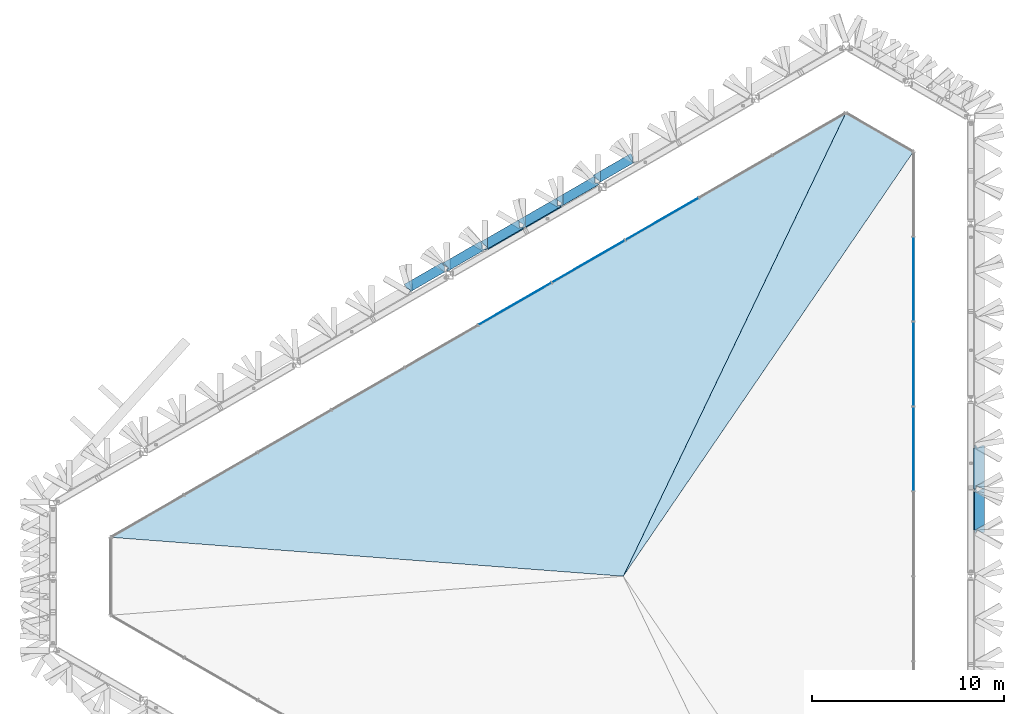
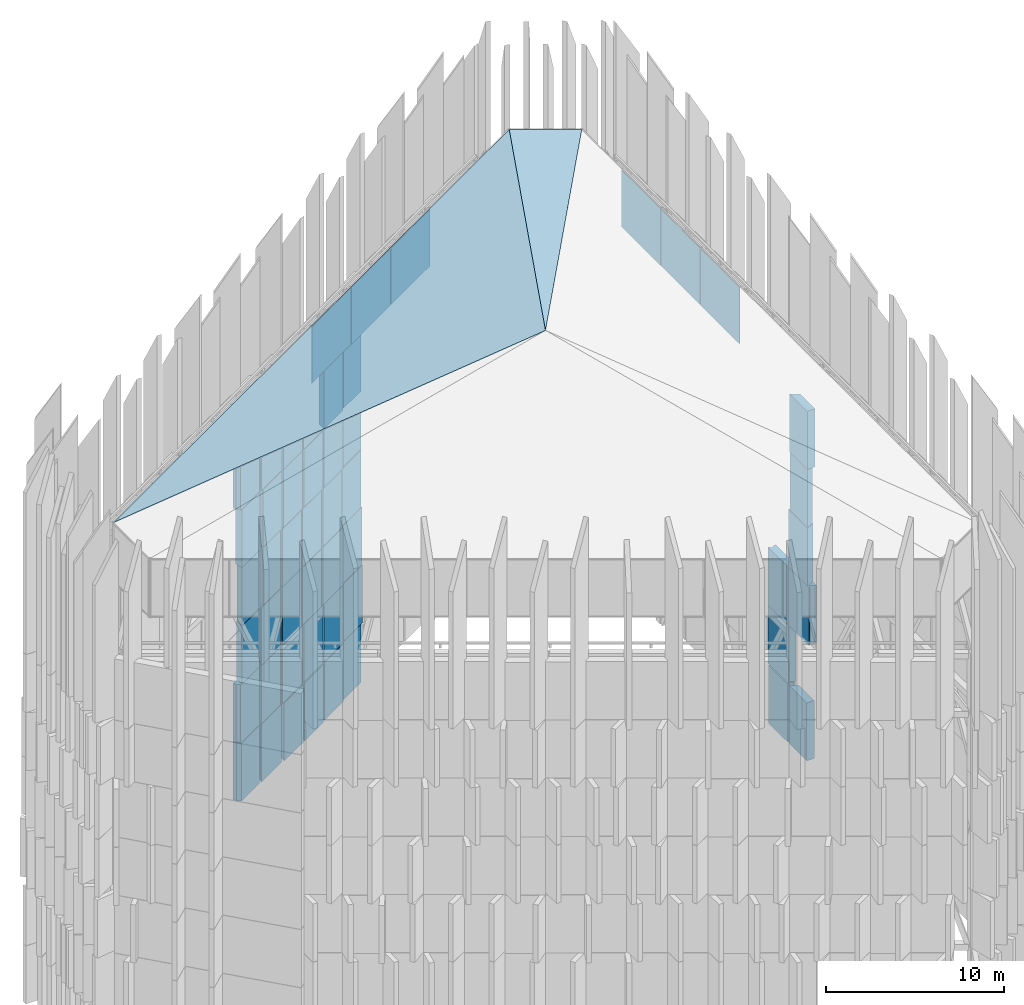
# One storey, part 33 of 45: 52 plates, 2 elements without a shape of their own.
"""IFC4 building model written with IfcOpenShell, lengths in metres."""

from ifc_helpers import new_model, si_unit, direction, frame, origin, origin_2d, place, context, subcontext, project, spatial, polyline, rectangle, outline, extrude, material, layer, layer_set, type_object, element, aggregate, save


model = new_model("IFC4")

# Units and contexts
model_context = context("Model", 3, precision=1e-05, world=origin(), true_north=direction((0.0, 1.0)))
body_context = subcontext(model_context, "Body", "Model", "MODEL_VIEW")
ifc_project = project(units=[si_unit("LENGTHUNIT", "METRE"), si_unit("AREAUNIT", "SQUARE_METRE"), si_unit("VOLUMEUNIT", "CUBIC_METRE"), si_unit("PLANEANGLEUNIT", "RADIAN"), si_unit("MASSUNIT", "GRAM", prefix="KILO")], contexts=[model_context])

# Site, building, storey
site_placement = place(None, origin())
site = spatial("IfcSite", under=ifc_project, at=site_placement, CompositionType="ELEMENT")
building_placement = place(site_placement, origin())
building = spatial("IfcBuilding", under=site, at=building_placement, Name="Jabali Bay Hotel Tower and Convention Centre", CompositionType="ELEMENT")
storey_placement = place(building_placement, frame((0.0, 0.0, 322.39990234375)))
storey = spatial("IfcBuildingStorey", under=building, at=storey_placement, Name="Crown", CompositionType="ELEMENT", Elevation=322.39990234375)

# Curtain wall, plates
ifc_material_1 = material(Name="Aluminium and glass", Category="aluminium")
ifc_layer_1 = layer(ifc_material_1, 0.199951171875)
ifc_layer_set_1 = layer_set([ifc_layer_1], Name="Aluminium and glass")
curtain_wall_type = type_object("IfcCurtainWallType", Name="CW6 curtain wall", PredefinedType="NOTDEFINED", material=ifc_layer_set_1)
curtain_wall_1_placement = place(storey_placement, origin())
curtain_wall_1 = element("IfcCurtainWall", 1, at=curtain_wall_1_placement, inside=storey, type_object=curtain_wall_type, Name="CW6 lantern glazing 1", PredefinedType="NOTDEFINED")
ifc_material_2 = material(Name="Glass", Category="glass")
ifc_layer_2 = layer(ifc_material_2, 0.031982421875)
ifc_layer_set_2 = layer_set([ifc_layer_2], Name="Glass")
plate_type_1 = type_object("IfcPlateType", Name="CW6 glass panel 32", PredefinedType="CURTAIN_PANEL", material=ifc_layer_set_2)
plate_1_placement = place(storey_placement, frame((90.148681640625, 86.65087890625, 28.41015625), z_axis=(0.0, 0.0, 1.0), x_axis=(0.0, 1.0, 0.0)))
plate_1 = element("IfcPlate", 2, at=plate_1_placement, type_object=plate_type_1, Name="CW6 panel 7.1", PredefinedType="CURTAIN_PANEL", context=body_context, shape_type="SweptSolid", body=[
    extrude(rectangle(XDim=4.3740234375, YDim=0.031982421875, at=origin_2d()), origin(), (0.0, 0.0, 1.0), 3.8798828125),
])
plate_2_placement = place(storey_placement, frame((90.148681640625, 91.0849609375, 28.41015625), z_axis=(0.0, 0.0, 1.0), x_axis=(0.0, 1.0, 0.0)))
plate_2 = element("IfcPlate", 3, at=plate_2_placement, type_object=plate_type_1, Name="CW6 panel 8.1", PredefinedType="CURTAIN_PANEL", context=body_context, shape_type="SweptSolid", body=[
    extrude(rectangle(XDim=4.3740234375, YDim=0.031982421875, at=origin_2d()), origin(), (0.0, 0.0, 1.0), 3.8798828125),
])
plate_3_placement = place(storey_placement, frame((90.148681640625, 95.51904296875, 28.41015625), z_axis=(0.0, 0.0, 1.0), x_axis=(0.0, 1.0, 0.0)))
plate_3 = element("IfcPlate", 4, at=plate_3_placement, type_object=plate_type_1, Name="CW6 panel 9.1", PredefinedType="CURTAIN_PANEL", context=body_context, shape_type="SweptSolid", body=[
    extrude(rectangle(XDim=4.3740234375, YDim=0.031982421875, at=origin_2d()), origin(), (0.0, 0.0, 1.0), 3.8798828125),
])
aggregate(curtain_wall_1, [plate_1, plate_2, plate_3])

curtain_wall_2_placement = place(storey_placement, origin())
curtain_wall_2 = element("IfcCurtainWall", 5, at=curtain_wall_2_placement, inside=storey, type_object=curtain_wall_type, Name="CW6 lantern glazing 3", PredefinedType="NOTDEFINED")
plate_4_placement = place(storey_placement, frame((77.025390625, 98.66162109375, 28.41015625), z_axis=(0.0, 0.0, 1.0), x_axis=(-0.866025400826, -0.500000005124, 0.0)))
plate_4 = element("IfcPlate", 6, at=plate_4_placement, type_object=plate_type_1, Name="CW6 panel 3.1", PredefinedType="CURTAIN_PANEL", context=body_context, shape_type="SweptSolid", body=[
    extrude(rectangle(XDim=4.3740234375, YDim=0.031982421875, at=origin_2d()), origin(), (0.0, 0.0, 1.0), 3.8798828125),
])
plate_5_placement = place(storey_placement, frame((73.185546875, 96.44482421875, 28.41015625), z_axis=(0.0, 0.0, 1.0), x_axis=(-0.866025400826, -0.500000005124, 0.0)))
plate_5 = element("IfcPlate", 7, at=plate_5_placement, type_object=plate_type_1, Name="CW6 panel 4.1", PredefinedType="CURTAIN_PANEL", context=body_context, shape_type="SweptSolid", body=[
    extrude(rectangle(XDim=4.3740234375, YDim=0.031982421875, at=origin_2d()), origin(), (0.0, 0.0, 1.0), 3.8798828125),
])
plate_6_placement = place(storey_placement, frame((69.345703125, 94.227783203125, 28.41015625), z_axis=(0.0, 0.0, 1.0), x_axis=(-0.866025400826, -0.500000005124, 0.0)))
plate_6 = element("IfcPlate", 8, at=plate_6_placement, type_object=plate_type_1, Name="CW6 panel 5.1", PredefinedType="CURTAIN_PANEL", context=body_context, shape_type="SweptSolid", body=[
    extrude(rectangle(XDim=4.3740234375, YDim=0.031982421875, at=origin_2d()), origin(), (0.0, 0.0, 1.0), 3.8798828125),
])
aggregate(curtain_wall_2, [plate_4, plate_5, plate_6])

# Plates
ifc_layer_3 = layer(ifc_material_2, 0.0400390625)
ifc_layer_set_3 = layer_set([ifc_layer_3], Name="Glass")
plate_type_2 = type_object("IfcPlateType", Name="Lantern roof glazing", PredefinedType="SHEET", material=ifc_layer_set_3)
plate_7_placement = place(storey_placement, frame((90.148681640625, 102.169921875, 32.35009765625), z_axis=(0.091784635079, 0.158981739493, 0.983005792084), x_axis=(-0.866033694824, 0.499985639223, 0.0)))
element("IfcPlate", 9, at=plate_7_placement, inside=storey, type_object=plate_type_2, Name="Lantern roof glazing 2", PredefinedType="SHEET", context=body_context, shape_type="SweptSolid", body=[
    extrude(outline(polyline([(0.0, 0.0), (4.068359375, 0.0), (2.03466796875, 27.23681640625), (0.0, 0.0)])), origin(), (0.0, 0.0, -1.0), 0.0400390625),
])
plate_8_placement = place(storey_placement, frame((86.625244140625, 104.2041015625, 32.35009765625), z_axis=(-0.156714659268, 0.271437631798, 0.949611566702), x_axis=(-0.866025307794, -0.500000166261, 0.0)))
element("IfcPlate", 10, at=plate_8_placement, inside=storey, type_object=plate_type_2, Name="Lantern roof glazing 3", PredefinedType="SHEET", context=body_context, shape_type="SweptSolid", body=[
    extrude(outline(polyline([(0.0, 0.0), (44.33984375, 0.0), (22.169921875, 15.95263671875), (0.0, 0.0)])), origin(), (0.0, 0.0, -1.0), 0.0400390625),
])
ifc_material_3 = material(Name="Precast concrete C60", Category="concrete")
ifc_layer_4 = layer(ifc_material_3, 0.5)
ifc_layer_set_4 = layer_set([ifc_layer_4], Name="Precast concrete C60")
plate_type_3 = type_object("IfcPlateType", Name="Pierced precast screen", PredefinedType="USERDEFINED", material=ifc_layer_set_4)
plate_9_placement = place(storey_placement, frame((0.0, 0.0, 0.010009765625)))
element("IfcPlate", 11, at=plate_9_placement, inside=storey, type_object=plate_type_3, Name="Screen 1.0.11", ObjectType="SCREEN", PredefinedType="USERDEFINED", context=body_context, shape_type="SweptSolid", body=[
    extrude(outline(polyline([(93.298828125, 84.4228515625), (93.298828125, 82.42626953125), (93.798828125, 82.431396484375), (93.798828125, 84.13427734375), (93.298828125, 84.4228515625)])), origin(), (0.0, 0.0, 1.0), 3.9658203125),
])
plate_10_placement = place(storey_placement, frame((0.0, 0.0, 0.010009765625)))
element("IfcPlate", 12, at=plate_10_placement, inside=storey, type_object=plate_type_3, Name="Screen 1.0.12", ObjectType="SCREEN", PredefinedType="USERDEFINED", context=body_context, shape_type="SweptSolid", body=[
    extrude(outline(polyline([(93.298828125, 86.69921875), (93.298828125, 84.552734375), (93.373779296875, 84.552734375), (93.44873046875, 84.6826171875), (93.673828125, 84.552734375), (93.798828125, 84.552734375), (93.798828125, 86.41064453125), (93.298828125, 86.69921875)])), origin(), (0.0, 0.0, 1.0), 3.9658203125),
])
plate_11_placement = place(storey_placement, frame((0.0, 0.0, 0.010009765625)))
element("IfcPlate", 13, at=plate_11_placement, inside=storey, type_object=plate_type_3, Name="Screen 1.2.33", ObjectType="SCREEN", PredefinedType="USERDEFINED", context=body_context, shape_type="SweptSolid", body=[
    extrude(outline(polyline([(73.81201171875, 100.5859375), (75.508544921875, 101.5654296875), (75.226806640625, 101.980224609375), (73.81201171875, 101.163330078125), (73.81201171875, 100.5859375)])), origin(), (0.0, 0.0, 1.0), 3.9658203125),
])
plate_12_placement = place(storey_placement, frame((0.0, 0.0, 0.010009765625)))
element("IfcPlate", 14, at=plate_12_placement, inside=storey, type_object=plate_type_3, Name="Screen 1.2.34", ObjectType="SCREEN", PredefinedType="USERDEFINED", context=body_context, shape_type="SweptSolid", body=[
    extrude(outline(polyline([(71.87744140625, 99.380859375), (73.712890625, 100.4404296875), (73.661865234375, 100.528564453125), (73.511962890625, 100.528564453125), (73.511962890625, 100.78857421875), (73.462890625, 100.87353515625), (71.87744140625, 99.958251953125), (71.87744140625, 99.380859375)])), origin(), (0.0, 0.0, 1.0), 3.9658203125),
])
plate_13_placement = place(storey_placement, frame((0.0, 0.0, 0.010009765625)))
element("IfcPlate", 15, at=plate_13_placement, inside=storey, type_object=plate_type_3, Name="Screen 1.2.35", ObjectType="SCREEN", PredefinedType="USERDEFINED", context=body_context, shape_type="SweptSolid", body=[
    extrude(outline(polyline([(69.906005859375, 98.1884765625), (71.764892578125, 99.26171875), (71.727294921875, 99.32666015625), (71.577392578125, 99.32666015625), (71.577392578125, 99.58642578125), (71.514892578125, 99.69482421875), (69.906005859375, 98.765869140625), (69.906005859375, 98.1884765625)])), origin(), (0.0, 0.0, 1.0), 3.9658203125),
])
plate_14_placement = place(storey_placement, frame((0.0, 0.0, 0.010009765625)))
element("IfcPlate", 16, at=plate_14_placement, inside=storey, type_object=plate_type_3, Name="Screen 1.2.36", ObjectType="SCREEN", PredefinedType="USERDEFINED", context=body_context, shape_type="SweptSolid", body=[
    extrude(outline(polyline([(67.9345703125, 97.05029296875), (69.79345703125, 98.12353515625), (69.755859375, 98.1884765625), (69.60595703125, 98.1884765625), (69.60595703125, 98.4482421875), (69.54345703125, 98.556640625), (67.9345703125, 97.627685546875), (67.9345703125, 97.05029296875)])), origin(), (0.0, 0.0, 1.0), 3.9658203125),
])
plate_15_placement = place(storey_placement, frame((0.0, 0.0, 0.010009765625)))
element("IfcPlate", 17, at=plate_15_placement, inside=storey, type_object=plate_type_3, Name="Screen 1.2.37", ObjectType="SCREEN", PredefinedType="USERDEFINED", context=body_context, shape_type="SweptSolid", body=[
    extrude(outline(polyline([(65.81005859375, 95.917236328125), (67.772705078125, 97.05029296875), (67.634521484375, 97.05029296875), (67.634521484375, 97.31005859375), (67.531494140625, 97.488525390625), (65.573974609375, 96.358154296875), (65.877197265625, 96.086181640625), (65.777099609375, 95.974609375), (65.81005859375, 95.917236328125)])), origin(), (0.0, 0.0, 1.0), 3.9658203125),
])
plate_16_placement = place(storey_placement, frame((0.0, 0.0, 0.010009765625)))
element("IfcPlate", 18, at=plate_16_placement, inside=storey, type_object=plate_type_3, Name="Screen 1.2.38", ObjectType="SCREEN", PredefinedType="USERDEFINED", context=body_context, shape_type="SweptSolid", body=[
    extrude(outline(polyline([(63.889892578125, 94.857421875), (65.6591796875, 95.87890625), (65.267578125, 96.230224609375), (63.567626953125, 95.248779296875), (63.691650390625, 95.03369140625), (63.916748046875, 94.90380859375), (63.889892578125, 94.857421875)])), origin(), (0.0, 0.0, 1.0), 3.9658203125),
])
plate_17_placement = place(storey_placement, frame((0.0, 0.0, 3.995849609375)))
element("IfcPlate", 19, at=plate_17_placement, inside=storey, type_object=plate_type_3, Name="Screen 2.0.12", ObjectType="SCREEN", PredefinedType="USERDEFINED", context=body_context, shape_type="SweptSolid", body=[
    extrude(outline(polyline([(93.348876953125, 86.8291015625), (93.348876953125, 84.552734375), (93.398193359375, 84.552734375), (93.447509765625, 84.6943359375), (93.848876953125, 84.554443359375), (93.848876953125, 86.76025390625), (93.400634765625, 86.681396484375), (93.374755859375, 86.8291015625), (93.348876953125, 86.8291015625)])), origin(), (0.0, 0.0, 1.0), 3.965576171875),
])
plate_18_placement = place(storey_placement, frame((0.0, 0.0, 3.995849609375)))
element("IfcPlate", 20, at=plate_18_placement, inside=storey, type_object=plate_type_3, Name="Screen 2.2.33", ObjectType="SCREEN", PredefinedType="USERDEFINED", context=body_context, shape_type="SweptSolid", body=[
    extrude(outline(polyline([(73.81201171875, 100.5859375), (75.64599609375, 101.644775390625), (75.645751953125, 101.645263671875), (75.495849609375, 101.64404296875), (75.493408203125, 101.9091796875), (75.39599609375, 102.077880859375), (73.81201171875, 101.163330078125), (73.81201171875, 100.5859375)])), origin(), (0.0, 0.0, 1.0), 3.965576171875),
])
plate_19_placement = place(storey_placement, frame((0.0, 0.0, 3.995849609375)))
element("IfcPlate", 21, at=plate_19_placement, inside=storey, type_object=plate_type_3, Name="Screen 2.2.34", ObjectType="SCREEN", PredefinedType="USERDEFINED", context=body_context, shape_type="SweptSolid", body=[
    extrude(outline(polyline([(71.852294921875, 99.3701171875), (73.711181640625, 100.443359375), (73.661865234375, 100.528564453125), (73.511962890625, 100.528564453125), (73.511962890625, 100.78857421875), (73.461181640625, 100.876220703125), (71.852294921875, 99.947265625), (71.852294921875, 99.3701171875)])), origin(), (0.0, 0.0, 1.0), 3.965576171875),
])
plate_20_placement = place(storey_placement, frame((0.0, 0.0, 3.995849609375)))
element("IfcPlate", 22, at=plate_20_placement, inside=storey, type_object=plate_type_3, Name="Screen 2.2.35", ObjectType="SCREEN", PredefinedType="USERDEFINED", context=body_context, shape_type="SweptSolid", body=[
    extrude(outline(polyline([(69.893798828125, 98.2392578125), (71.73974609375, 99.30517578125), (71.702392578125, 99.3701171875), (71.55224609375, 99.3701171875), (71.55224609375, 99.6298828125), (71.48974609375, 99.738037109375), (69.760009765625, 98.7392578125), (69.893798828125, 98.2392578125)])), origin(), (0.0, 0.0, 1.0), 3.965576171875),
])
plate_21_placement = place(storey_placement, frame((0.0, 0.0, 3.995849609375)))
element("IfcPlate", 23, at=plate_21_placement, inside=storey, type_object=plate_type_3, Name="Screen 2.2.36", ObjectType="SCREEN", PredefinedType="USERDEFINED", context=body_context, shape_type="SweptSolid", body=[
    extrude(outline(polyline([(67.797119140625, 97.02880859375), (69.768310546875, 98.1669921875), (69.7490234375, 98.200439453125), (69.604248046875, 98.16162109375), (69.490966796875, 98.583984375), (67.581787109375, 97.48193359375), (67.887451171875, 97.16357421875), (67.779052734375, 97.059814453125), (67.797119140625, 97.02880859375)])), origin(), (0.0, 0.0, 1.0), 3.965576171875),
])
plate_22_placement = place(storey_placement, frame((0.0, 0.0, 3.995849609375)))
element("IfcPlate", 24, at=plate_22_placement, inside=storey, type_object=plate_type_3, Name="Screen 2.2.37", ObjectType="SCREEN", PredefinedType="USERDEFINED", context=body_context, shape_type="SweptSolid", body=[
    extrude(outline(polyline([(65.81005859375, 95.917236328125), (67.64892578125, 96.978759765625), (67.292236328125, 97.350341796875), (65.56005859375, 96.350341796875), (65.617919921875, 96.250244140625), (65.843017578125, 96.120361328125), (65.767822265625, 95.990478515625), (65.81005859375, 95.917236328125)])), origin(), (0.0, 0.0, 1.0), 3.965576171875),
])
plate_23_placement = place(storey_placement, frame((0.0, 0.0, 3.995849609375)))
element("IfcPlate", 25, at=plate_23_placement, inside=storey, type_object=plate_type_3, Name="Screen 2.2.38", ObjectType="SCREEN", PredefinedType="USERDEFINED", context=body_context, shape_type="SweptSolid", body=[
    extrude(outline(polyline([(63.817626953125, 94.815673828125), (65.66015625, 95.87939453125), (65.16015625, 96.168212890625), (63.567626953125, 95.248779296875), (63.666748046875, 95.0771484375), (63.891845703125, 94.947265625), (63.816650390625, 94.817138671875), (63.817626953125, 94.815673828125)])), origin(), (0.0, 0.0, 1.0), 3.965576171875),
])
plate_24_placement = place(storey_placement, frame((0.0, 0.0, 7.9814453125)))
element("IfcPlate", 26, at=plate_24_placement, inside=storey, type_object=plate_type_3, Name="Screen 3.0.11", ObjectType="SCREEN", PredefinedType="USERDEFINED", context=body_context, shape_type="SweptSolid", body=[
    extrude(outline(polyline([(93.348876953125, 84.552734375), (93.348876953125, 82.2763671875), (93.4169921875, 82.2763671875), (93.485107421875, 82.409912109375), (93.746826171875, 82.2763671875), (93.848876953125, 82.2763671875), (93.848876953125, 84.552734375), (93.792236328125, 84.552734375), (93.465576171875, 84.41455078125), (93.4072265625, 84.552734375), (93.348876953125, 84.552734375)])), origin(), (0.0, 0.0, 1.0), 3.9658203125),
])
plate_25_placement = place(storey_placement, frame((0.0, 0.0, 7.9814453125)))
element("IfcPlate", 27, at=plate_25_placement, inside=storey, type_object=plate_type_3, Name="Screen 3.0.12", ObjectType="SCREEN", PredefinedType="USERDEFINED", context=body_context, shape_type="SweptSolid", body=[
    extrude(outline(polyline([(93.348876953125, 86.8291015625), (93.348876953125, 84.69091796875), (93.848876953125, 84.90234375), (93.848876953125, 86.8291015625), (93.7236328125, 86.8291015625), (93.498779296875, 86.69921875), (93.423828125, 86.8291015625), (93.348876953125, 86.8291015625)])), origin(), (0.0, 0.0, 1.0), 3.9658203125),
])
plate_26_placement = place(storey_placement, frame((0.0, 0.0, 7.9814453125)))
element("IfcPlate", 28, at=plate_26_placement, inside=storey, type_object=plate_type_3, Name="Screen 3.2.33", ObjectType="SCREEN", PredefinedType="USERDEFINED", context=body_context, shape_type="SweptSolid", body=[
    extrude(outline(polyline([(73.712890625, 100.528564453125), (75.612548828125, 101.62548828125), (75.50537109375, 101.611083984375), (75.457275390625, 101.9716796875), (75.39599609375, 102.077880859375), (73.424560546875, 100.939697265625), (73.462158203125, 100.87451171875), (73.779296875, 100.607666015625), (73.712890625, 100.528564453125)])), origin(), (0.0, 0.0, 1.0), 3.9658203125),
])
plate_27_placement = place(storey_placement, frame((0.0, 0.0, 7.9814453125)))
element("IfcPlate", 29, at=plate_27_placement, inside=storey, type_object=plate_type_3, Name="Screen 3.2.34", ObjectType="SCREEN", PredefinedType="USERDEFINED", context=body_context, shape_type="SweptSolid", body=[
    extrude(outline(polyline([(71.73974609375, 99.30517578125), (73.711181640625, 100.443359375), (73.6826171875, 100.492919921875), (73.5859375, 100.378173828125), (73.184326171875, 100.71630859375), (71.48974609375, 99.738037109375), (71.55224609375, 99.6298828125), (71.77734375, 99.5), (71.702392578125, 99.3701171875), (71.73974609375, 99.30517578125)])), origin(), (0.0, 0.0, 1.0), 3.9658203125),
])
plate_28_placement = place(storey_placement, frame((0.0, 0.0, 7.9814453125)))
element("IfcPlate", 30, at=plate_28_placement, inside=storey, type_object=plate_type_3, Name="Screen 3.2.35", ObjectType="SCREEN", PredefinedType="USERDEFINED", context=body_context, shape_type="SweptSolid", body=[
    extrude(outline(polyline([(69.768310546875, 98.1669921875), (71.627197265625, 99.239990234375), (71.127197265625, 99.52880859375), (69.518310546875, 98.599853515625), (69.580810546875, 98.49169921875), (69.805908203125, 98.36181640625), (69.73095703125, 98.231689453125), (69.768310546875, 98.1669921875)])), origin(), (0.0, 0.0, 1.0), 3.9658203125),
])
plate_29_placement = place(storey_placement, frame((0.0, 0.0, 7.9814453125)))
element("IfcPlate", 31, at=plate_29_placement, inside=storey, type_object=plate_type_3, Name="Screen 3.2.36", ObjectType="SCREEN", PredefinedType="USERDEFINED", context=body_context, shape_type="SweptSolid", body=[
    extrude(outline(polyline([(67.797119140625, 97.02880859375), (69.656005859375, 98.101806640625), (69.156005859375, 98.390625), (67.547119140625, 97.461669921875), (67.609619140625, 97.353515625), (67.83447265625, 97.2236328125), (67.759521484375, 97.093505859375), (67.797119140625, 97.02880859375)])), origin(), (0.0, 0.0, 1.0), 3.9658203125),
])
plate_30_placement = place(storey_placement, frame((0.0, 0.0, 7.9814453125)))
element("IfcPlate", 32, at=plate_30_placement, inside=storey, type_object=plate_type_3, Name="Screen 3.2.37", ObjectType="SCREEN", PredefinedType="USERDEFINED", context=body_context, shape_type="SweptSolid", body=[
    extrude(outline(polyline([(65.81005859375, 95.917236328125), (67.653564453125, 96.981689453125), (67.153564453125, 97.270263671875), (65.648193359375, 96.401123046875), (65.906005859375, 96.049560546875), (65.784912109375, 95.9609375), (65.81005859375, 95.917236328125)])), origin(), (0.0, 0.0, 1.0), 3.9658203125),
])
plate_31_placement = place(storey_placement, frame((0.0, 0.0, 7.9814453125)))
element("IfcPlate", 33, at=plate_31_placement, inside=storey, type_object=plate_type_3, Name="Screen 3.2.38", ObjectType="SCREEN", PredefinedType="USERDEFINED", context=body_context, shape_type="SweptSolid", body=[
    extrude(outline(polyline([(63.966064453125, 94.9013671875), (65.6591796875, 95.87890625), (65.361572265625, 96.284423828125), (63.9462890625, 95.46728515625), (63.966064453125, 94.9013671875)])), origin(), (0.0, 0.0, 1.0), 3.9658203125),
])
plate_32_placement = place(storey_placement, frame((0.0, 0.0, 11.96728515625)))
element("IfcPlate", 34, at=plate_32_placement, inside=storey, type_object=plate_type_3, Name="Screen 4.0.11", ObjectType="SCREEN", PredefinedType="USERDEFINED", context=body_context, shape_type="SweptSolid", body=[
    extrude(outline(polyline([(93.348876953125, 84.552734375), (93.348876953125, 82.4111328125), (93.848876953125, 82.65625), (93.848876953125, 84.552734375), (93.7236328125, 84.552734375), (93.498779296875, 84.4228515625), (93.423828125, 84.552734375), (93.348876953125, 84.552734375)])), origin(), (0.0, 0.0, 1.0), 3.965576171875),
])
plate_33_placement = place(storey_placement, frame((0.0, 0.0, 11.96728515625)))
element("IfcPlate", 35, at=plate_33_placement, inside=storey, type_object=plate_type_3, Name="Screen 4.2.33", ObjectType="SCREEN", PredefinedType="USERDEFINED", context=body_context, shape_type="SweptSolid", body=[
    extrude(outline(polyline([(73.674560546875, 100.506591796875), (75.503173828125, 101.562255859375), (75.132080078125, 101.925537109375), (73.424560546875, 100.939697265625), (73.523681640625, 100.76806640625), (73.748779296875, 100.63818359375), (73.673828125, 100.50830078125), (73.674560546875, 100.506591796875)])), origin(), (0.0, 0.0, 1.0), 3.965576171875),
])
plate_34_placement = place(storey_placement, frame((0.0, 0.0, 11.96728515625)))
element("IfcPlate", 36, at=plate_34_placement, inside=storey, type_object=plate_type_3, Name="Screen 4.2.34", ObjectType="SCREEN", PredefinedType="USERDEFINED", context=body_context, shape_type="SweptSolid", body=[
    extrude(outline(polyline([(71.73974609375, 99.30517578125), (73.5986328125, 100.37841796875), (73.0986328125, 100.6669921875), (71.48974609375, 99.738037109375), (71.55224609375, 99.6298828125), (71.77734375, 99.5), (71.702392578125, 99.3701171875), (71.73974609375, 99.30517578125)])), origin(), (0.0, 0.0, 1.0), 3.965576171875),
])
plate_35_placement = place(storey_placement, frame((0.0, 0.0, 11.96728515625)))
element("IfcPlate", 37, at=plate_35_placement, inside=storey, type_object=plate_type_3, Name="Screen 4.2.35", ObjectType="SCREEN", PredefinedType="USERDEFINED", context=body_context, shape_type="SweptSolid", body=[
    extrude(outline(polyline([(69.768310546875, 98.1669921875), (71.627197265625, 99.239990234375), (71.127197265625, 99.52880859375), (69.518310546875, 98.599853515625), (69.580810546875, 98.49169921875), (69.805908203125, 98.36181640625), (69.73095703125, 98.231689453125), (69.768310546875, 98.1669921875)])), origin(), (0.0, 0.0, 1.0), 3.965576171875),
])
plate_36_placement = place(storey_placement, frame((0.0, 0.0, 11.96728515625)))
element("IfcPlate", 38, at=plate_36_placement, inside=storey, type_object=plate_type_3, Name="Screen 4.2.36", ObjectType="SCREEN", PredefinedType="USERDEFINED", context=body_context, shape_type="SweptSolid", body=[
    extrude(outline(polyline([(67.797119140625, 97.02880859375), (69.656005859375, 98.101806640625), (69.156005859375, 98.390625), (67.59912109375, 97.491943359375), (67.8955078125, 97.15234375), (67.782470703125, 97.0537109375), (67.797119140625, 97.02880859375)])), origin(), (0.0, 0.0, 1.0), 3.965576171875),
])
plate_37_placement = place(storey_placement, frame((0.0, 0.0, 11.96728515625)))
element("IfcPlate", 39, at=plate_37_placement, inside=storey, type_object=plate_type_3, Name="Screen 4.2.37", ObjectType="SCREEN", PredefinedType="USERDEFINED", context=body_context, shape_type="SweptSolid", body=[
    extrude(outline(polyline([(65.960205078125, 96.00390625), (67.64892578125, 96.978759765625), (67.313720703125, 97.36279296875), (65.960205078125, 96.581298828125), (65.960205078125, 96.00390625)])), origin(), (0.0, 0.0, 1.0), 3.965576171875),
])
plate_38_placement = place(storey_placement, frame((0.0, 0.0, 11.96728515625)))
element("IfcPlate", 40, at=plate_38_placement, inside=storey, type_object=plate_type_3, Name="Screen 4.2.38", ObjectType="SCREEN", PredefinedType="USERDEFINED", context=body_context, shape_type="SweptSolid", body=[
    extrude(outline(polyline([(63.966796875, 94.90185546875), (65.7255859375, 95.917236328125), (65.66015625, 95.917236328125), (65.66015625, 96.177001953125), (65.5390625, 96.386962890625), (63.966796875, 95.47900390625), (63.966796875, 94.90185546875)])), origin(), (0.0, 0.0, 1.0), 3.965576171875),
])
plate_39_placement = place(storey_placement, frame((0.0, 0.0, 15.952880859375)))
element("IfcPlate", 41, at=plate_39_placement, inside=storey, type_object=plate_type_3, Name="Screen 5.0.11", ObjectType="SCREEN", PredefinedType="USERDEFINED", context=body_context, shape_type="SweptSolid", body=[
    extrude(outline(polyline([(93.348876953125, 84.40283203125), (93.348876953125, 82.40625), (93.848876953125, 82.695068359375), (93.848876953125, 84.3828125), (93.348876953125, 84.40283203125)])), origin(), (0.0, 0.0, 1.0), 3.9658203125),
])
plate_40_placement = place(storey_placement, frame((0.0, 0.0, 15.952880859375)))
element("IfcPlate", 42, at=plate_40_placement, inside=storey, type_object=plate_type_3, Name="Screen 5.2.33", ObjectType="SCREEN", PredefinedType="USERDEFINED", context=body_context, shape_type="SweptSolid", body=[
    extrude(outline(polyline([(73.712890625, 100.528564453125), (75.496826171875, 101.558837890625), (74.996826171875, 101.847412109375), (73.45947265625, 100.959716796875), (73.7900390625, 100.599609375), (73.712890625, 100.528564453125)])), origin(), (0.0, 0.0, 1.0), 3.9658203125),
])
plate_41_placement = place(storey_placement, frame((0.0, 0.0, 15.952880859375)))
element("IfcPlate", 43, at=plate_41_placement, inside=storey, type_object=plate_type_3, Name="Screen 5.2.34", ObjectType="SCREEN", PredefinedType="USERDEFINED", context=body_context, shape_type="SweptSolid", body=[
    extrude(outline(polyline([(71.867919921875, 99.37890625), (73.711181640625, 100.443359375), (73.679443359375, 100.498046875), (73.569091796875, 100.396728515625), (73.244140625, 100.7509765625), (71.69287109375, 99.855224609375), (71.867919921875, 99.37890625)])), origin(), (0.0, 0.0, 1.0), 3.9658203125),
])
plate_42_placement = place(storey_placement, frame((0.0, 0.0, 15.952880859375)))
element("IfcPlate", 44, at=plate_42_placement, inside=storey, type_object=plate_type_3, Name="Screen 5.2.35", ObjectType="SCREEN", PredefinedType="USERDEFINED", context=body_context, shape_type="SweptSolid", body=[
    extrude(outline(polyline([(69.88427734375, 98.233642578125), (71.73974609375, 99.30517578125), (71.72705078125, 99.3271484375), (71.586181640625, 99.275390625), (71.42919921875, 99.703125), (69.854248046875, 98.793701171875), (69.88427734375, 98.233642578125)])), origin(), (0.0, 0.0, 1.0), 3.9658203125),
])
plate_43_placement = place(storey_placement, frame((0.0, 0.0, 15.952880859375)))
element("IfcPlate", 45, at=plate_43_placement, inside=storey, type_object=plate_type_3, Name="Screen 5.2.36", ObjectType="SCREEN", PredefinedType="USERDEFINED", context=body_context, shape_type="SweptSolid", body=[
    extrude(outline(polyline([(67.909423828125, 97.09375), (69.768310546875, 98.1669921875), (69.734375, 98.2255859375), (69.584716796875, 98.217529296875), (69.56884765625, 98.512451171875), (69.518310546875, 98.599853515625), (67.909423828125, 97.6708984375), (67.909423828125, 97.09375)])), origin(), (0.0, 0.0, 1.0), 3.9658203125),
])
plate_44_placement = place(storey_placement, frame((0.0, 0.0, 15.952880859375)))
element("IfcPlate", 46, at=plate_44_placement, inside=storey, type_object=plate_type_3, Name="Screen 5.2.37", ObjectType="SCREEN", PredefinedType="USERDEFINED", context=body_context, shape_type="SweptSolid", body=[
    extrude(outline(polyline([(65.956298828125, 96.001708984375), (67.781494140625, 97.055419921875), (67.759521484375, 97.093505859375), (67.609619140625, 97.093505859375), (67.609619140625, 97.353515625), (67.531494140625, 97.488525390625), (65.93896484375, 96.56884765625), (65.956298828125, 96.001708984375)])), origin(), (0.0, 0.0, 1.0), 3.9658203125),
])
plate_45_placement = place(storey_placement, frame((0.0, 0.0, 15.952880859375)))
element("IfcPlate", 47, at=plate_45_placement, inside=storey, type_object=plate_type_3, Name="Screen 5.2.38", ObjectType="SCREEN", PredefinedType="USERDEFINED", context=body_context, shape_type="SweptSolid", body=[
    extrude(outline(polyline([(63.959228515625, 94.8974609375), (65.7255859375, 95.917236328125), (65.65869140625, 95.915283203125), (65.650146484375, 96.1943359375), (65.5390625, 96.386962890625), (63.814208984375, 95.39111328125), (63.959228515625, 94.8974609375)])), origin(), (0.0, 0.0, 1.0), 3.9658203125),
])
plate_46_placement = place(storey_placement, frame((0.0, 0.0, 19.938720703125)))
element("IfcPlate", 48, at=plate_46_placement, inside=storey, type_object=plate_type_3, Name="Screen 6.0.11", ObjectType="SCREEN", PredefinedType="USERDEFINED", context=body_context, shape_type="SweptSolid", body=[
    extrude(outline(polyline([(93.348876953125, 84.4228515625), (93.348876953125, 82.42626953125), (93.848876953125, 82.431396484375), (93.848876953125, 84.13427734375), (93.348876953125, 84.4228515625)])), origin(), (0.0, 0.0, 1.0), 3.965576171875),
])
plate_47_placement = place(storey_placement, frame((0.0, 0.0, 19.938720703125)))
element("IfcPlate", 49, at=plate_47_placement, inside=storey, type_object=plate_type_3, Name="Screen 6.2.33", ObjectType="SCREEN", PredefinedType="USERDEFINED", context=body_context, shape_type="SweptSolid", body=[
    extrude(outline(polyline([(73.81201171875, 100.5859375), (75.51171875, 101.5673828125), (75.22998046875, 101.98193359375), (73.81201171875, 101.163330078125), (73.81201171875, 100.5859375)])), origin(), (0.0, 0.0, 1.0), 3.965576171875),
])
plate_48_placement = place(storey_placement, frame((0.0, 0.0, 19.938720703125)))
element("IfcPlate", 50, at=plate_48_placement, inside=storey, type_object=plate_type_3, Name="Screen 6.2.34", ObjectType="SCREEN", PredefinedType="USERDEFINED", context=body_context, shape_type="SweptSolid", body=[
    extrude(outline(polyline([(71.852294921875, 99.3701171875), (73.711181640625, 100.443359375), (73.661865234375, 100.528564453125), (73.511962890625, 100.528564453125), (73.511962890625, 100.78857421875), (73.461181640625, 100.876220703125), (71.852294921875, 99.947265625), (71.852294921875, 99.3701171875)])), origin(), (0.0, 0.0, 1.0), 3.965576171875),
])
plate_49_placement = place(storey_placement, frame((0.0, 0.0, 19.938720703125)))
element("IfcPlate", 51, at=plate_49_placement, inside=storey, type_object=plate_type_3, Name="Screen 6.2.35", ObjectType="SCREEN", PredefinedType="USERDEFINED", context=body_context, shape_type="SweptSolid", body=[
    extrude(outline(polyline([(69.880859375, 98.23193359375), (71.73974609375, 99.30517578125), (71.702392578125, 99.3701171875), (71.55224609375, 99.3701171875), (71.55224609375, 99.6298828125), (71.48974609375, 99.738037109375), (69.880859375, 98.80908203125), (69.880859375, 98.23193359375)])), origin(), (0.0, 0.0, 1.0), 3.965576171875),
])
plate_50_placement = place(storey_placement, frame((0.0, 0.0, 19.938720703125)))
element("IfcPlate", 52, at=plate_50_placement, inside=storey, type_object=plate_type_3, Name="Screen 6.2.36", ObjectType="SCREEN", PredefinedType="USERDEFINED", context=body_context, shape_type="SweptSolid", body=[
    extrude(outline(polyline([(67.909423828125, 97.09375), (69.768310546875, 98.1669921875), (69.73095703125, 98.231689453125), (69.580810546875, 98.231689453125), (69.580810546875, 98.49169921875), (69.518310546875, 98.599853515625), (67.909423828125, 97.6708984375), (67.909423828125, 97.09375)])), origin(), (0.0, 0.0, 1.0), 3.965576171875),
])
plate_51_placement = place(storey_placement, frame((0.0, 0.0, 19.938720703125)))
element("IfcPlate", 53, at=plate_51_placement, inside=storey, type_object=plate_type_3, Name="Screen 6.2.37", ObjectType="SCREEN", PredefinedType="USERDEFINED", context=body_context, shape_type="SweptSolid", body=[
    extrude(outline(polyline([(65.81005859375, 95.917236328125), (67.781494140625, 97.055419921875), (67.759521484375, 97.093505859375), (67.609619140625, 97.093505859375), (67.609619140625, 97.353515625), (67.531494140625, 97.488525390625), (65.573974609375, 96.358154296875), (65.877197265625, 96.086181640625), (65.777099609375, 95.974609375), (65.81005859375, 95.917236328125)])), origin(), (0.0, 0.0, 1.0), 3.965576171875),
])
plate_52_placement = place(storey_placement, frame((0.0, 0.0, 19.938720703125)))
element("IfcPlate", 54, at=plate_52_placement, inside=storey, type_object=plate_type_3, Name="Screen 6.2.38", ObjectType="SCREEN", PredefinedType="USERDEFINED", context=body_context, shape_type="SweptSolid", body=[
    extrude(outline(polyline([(63.817626953125, 94.815673828125), (65.6591796875, 95.87890625), (65.267578125, 96.230224609375), (63.567626953125, 95.248779296875), (63.666748046875, 95.0771484375), (63.891845703125, 94.947265625), (63.816650390625, 94.817138671875), (63.817626953125, 94.815673828125)])), origin(), (0.0, 0.0, 1.0), 3.965576171875),
])

save(model, "model.ifc")
